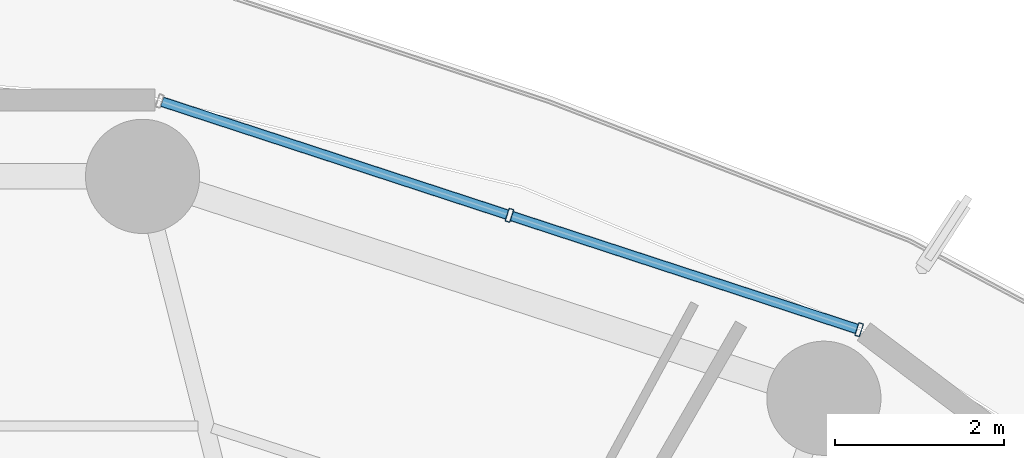
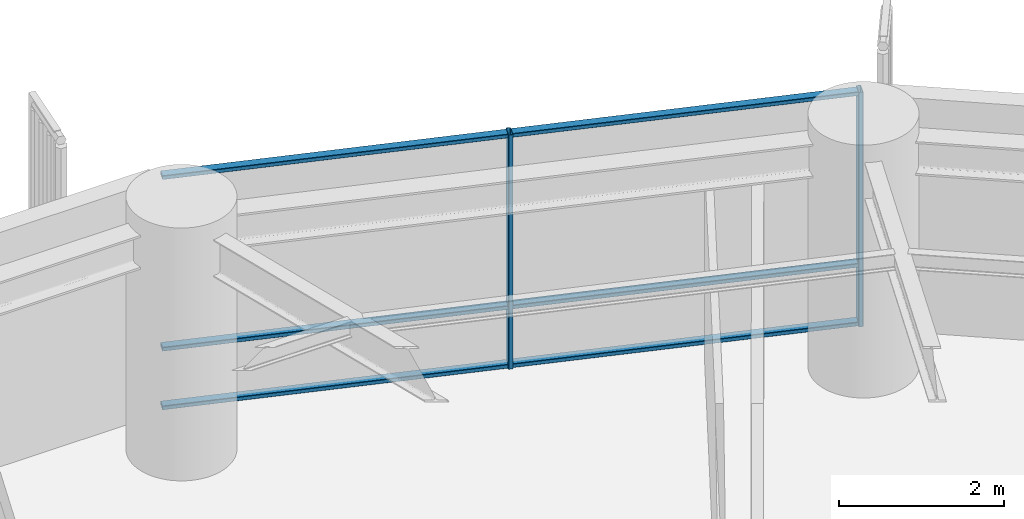
# One storey, part 25 of 35: 8 members, 1 element without a shape of its own.
"""IFC4 building model written with IfcOpenShell, lengths in metres."""

import ifcopenshell
import ifcopenshell.guid

model = None  # the IFC model being written
_history = None  # IfcOwnerHistory: only IFC2X3 demands one
_inside = {}  # id of a spatial element -> (the spatial element, [elements in it])
_under = {}  # id of a project, library or spatial element -> (it, [spatial elements below it])
_declared = {}  # id of a project -> (the project, [libraries it declares])
_typed = {}  # id of a type object -> (the type object, [elements of that type])
_made_of = {}  # id of a material, layer set ... -> (it, [elements and type objects made of it])


def new_model(schema):
    """Start an empty IFC model of exactly this schema.

    Asked for "IFC4X3", IfcOpenShell would pick the latest addendum, in which some entities
    have other attributes; the version numbers below select the first issue.
    IFC2X3 requires an IfcOwnerHistory on every rooted entity: one is made here for all.
    """
    global model, _history
    if schema == "IFC4X3":
        model = ifcopenshell.file(schema_version=(4, 3, 0, 0))
    else:
        model = ifcopenshell.file(schema=schema)
    _inside.clear()
    _under.clear()
    _declared.clear()
    _typed.clear()
    _made_of.clear()
    _history = None
    if model.schema == "IFC2X3":
        org = make("IfcOrganization", Name="unknown")
        user = make(
            "IfcPersonAndOrganization",
            ThePerson=make("IfcPerson", FamilyName="unknown"),
            TheOrganization=org,
        )
        app = make(
            "IfcApplication",
            ApplicationDeveloper=org,
            Version="unknown",
            ApplicationFullName="unknown",
            ApplicationIdentifier="unknown",
        )
        _history = make(
            "IfcOwnerHistory",
            OwningUser=user,
            OwningApplication=app,
            ChangeAction="ADDED",
            CreationDate=0,
        )
    return model


def make(cls, **values):
    """One entity of the class cls with the attributes given. An attribute that is None is left unset."""
    return model.create_entity(
        cls, **{name: value for name, value in values.items() if value is not None}
    )


def rooted(cls, **values):
    """An entity with a GlobalId (a new one), such as an element, a storey or a relation."""
    return make(cls, GlobalId=ifcopenshell.guid.new(), OwnerHistory=_history, **values)


def si_unit(unit_type, name, prefix=None):
    """IfcSIUnit, for example si_unit("LENGTHUNIT", "METRE", prefix="MILLI")."""
    return make("IfcSIUnit", UnitType=unit_type, Prefix=prefix, Name=name)


def assignment(units):
    """IfcUnitAssignment: the units of a project."""
    return None if units is None else make("IfcUnitAssignment", Units=units)


def point(xyz):
    """IfcCartesianPoint."""
    return None if xyz is None else make("IfcCartesianPoint", Coordinates=xyz)


def direction(xyz):
    """IfcDirection."""
    return None if xyz is None else make("IfcDirection", DirectionRatios=xyz)


def frame(location, z_axis=None, x_axis=None):
    """IfcAxis2Placement3D, a coordinate frame: its origin and axes. An axis left out is left unset."""
    return make(
        "IfcAxis2Placement3D",
        Location=point(location),
        Axis=direction(z_axis),
        RefDirection=direction(x_axis),
    )


def frame_2d(location, x_axis=None):
    """IfcAxis2Placement2D, a coordinate frame in the plane: its origin and x axis."""
    return make(
        "IfcAxis2Placement2D", Location=point(location), RefDirection=direction(x_axis)
    )


def origin():
    """The frame at (0, 0, 0) with its axes left unset."""
    return frame((0.0, 0.0, 0.0))


def origin_2d():
    """The frame at (0, 0) in the plane with its x axis left unset."""
    return frame_2d((0.0, 0.0))


def place(relative_to, where):
    """IfcLocalPlacement: puts the frame where relative to a parent placement (None: the world)."""
    return make(
        "IfcLocalPlacement", PlacementRelTo=relative_to, RelativePlacement=where
    )


def context(
    kind, dimensions, precision=None, world=None, true_north=None, identifier=None
):
    """IfcGeometricRepresentationContext, for example the 3D "Model" context."""
    return make(
        "IfcGeometricRepresentationContext",
        ContextIdentifier=identifier,
        ContextType=kind,
        CoordinateSpaceDimension=dimensions,
        Precision=precision,
        WorldCoordinateSystem=world,
        TrueNorth=true_north,
    )


def subcontext(parent, identifier, kind, view, scale=None):
    """IfcGeometricRepresentationSubContext, for example "Body" below "Model"."""
    return make(
        "IfcGeometricRepresentationSubContext",
        ContextIdentifier=identifier,
        ContextType=kind,
        ParentContext=parent,
        TargetScale=scale,
        TargetView=view,
    )


def project(units=None, contexts=None):
    """IfcProject with its units and contexts."""
    return rooted(
        "IfcProject",
        Name="project",
        RepresentationContexts=contexts,
        UnitsInContext=assignment(units),
    )


def spatial(cls, under=None, at=None, **own):
    """A site, building, storey or space (cls), placed at a placement, below another one or the project."""
    s = rooted(cls, ObjectPlacement=at, **own)
    if under is not None:
        _under.setdefault(under.id(), (under, []))[1].append(s)
    return s


def profile(cls, at=None, kind="AREA", **sizes):
    """A parametric profile (cls). Its sizes go by their IFC names, for example OverallWidth=200.0."""
    return make(cls, ProfileType=kind, Position=at, **sizes)


def hollow_rectangle(**sizes):
    """IfcRectangleHollowProfileDef."""
    return profile("IfcRectangleHollowProfileDef", **sizes)


def extrude(swept, where, along, depth):
    """IfcExtrudedAreaSolid: the profile swept, set in the frame where, extruded along a direction by depth."""
    return make(
        "IfcExtrudedAreaSolid",
        SweptArea=swept,
        Position=where,
        ExtrudedDirection=direction(along),
        Depth=depth,
    )


def shape(context_of_items, identifier, shape_type, items):
    """IfcShapeRepresentation: the items that make up one representation, for example the "Body"."""
    return make(
        "IfcShapeRepresentation",
        ContextOfItems=context_of_items,
        RepresentationIdentifier=identifier,
        RepresentationType=shape_type,
        Items=items,
    )


def material(Name=None, Category=None):
    """IfcMaterial."""
    return make("IfcMaterial", Name=Name, Category=Category)


def layer(
    of_material, thickness, ventilated=None, Name=None, Category=None, Priority=None
):
    """IfcMaterialLayer: one layer of a wall or slab, of a material (None: an air gap)."""
    return make(
        "IfcMaterialLayer",
        Material=of_material,
        LayerThickness=thickness,
        IsVentilated=ventilated,
        Name=Name,
        Category=Category,
        Priority=Priority,
    )


def layer_set(layers, Name=None):
    """IfcMaterialLayerSet."""
    return make("IfcMaterialLayerSet", MaterialLayers=layers, LayerSetName=Name)


def material_profile(
    of_material, cross_section, Name=None, Category=None, Priority=None
):
    """IfcMaterialProfile: a cross section and its material."""
    return make(
        "IfcMaterialProfile",
        Name=Name,
        Material=of_material,
        Profile=cross_section,
        Priority=Priority,
        Category=Category,
    )


def profile_set(profiles, Name=None, composite=None):
    """IfcMaterialProfileSet."""
    return make(
        "IfcMaterialProfileSet",
        Name=Name,
        MaterialProfiles=profiles,
        CompositeProfile=composite,
    )


def made_of(thing, what):
    """Note that an element or type object is made of a material, layer set ...; save() writes the relation."""
    if what is not None:
        _made_of.setdefault(what.id(), (what, []))[1].append(thing)
    return thing


def type_object(cls, material=None, **own):
    """A type object (cls), such as IfcWallType, which elements share."""
    return made_of(rooted(cls, **own), material)


def element(
    cls,
    number,
    at=None,
    inside=None,
    cuts=None,
    type_object=None,
    material=None,
    context=None,
    identifier="Body",
    shape_type=None,
    held_by="IfcProductDefinitionShape",
    body=None,
    shapes=None,
    **own,
):
    """One element of the class cls, such as IfcWall. Its Tag is "e" and its number.

    at: its placement. inside: the storey or other place that contains it. cuts: it is an
    opening in that element (IfcRelVoidsElement). A single representation is given by context,
    identifier, shape_type and body (its items); several are given by shapes. held_by: the class
    of the entity that holds the representations. save() writes the other relations.
    """
    e = rooted(cls, Tag="e%d" % number, ObjectPlacement=at, **own)
    if body is not None:
        shapes = [shape(context, identifier, shape_type, body)]
    if shapes is not None:
        e.Representation = make(held_by, Representations=shapes)
    if inside is not None:
        _inside.setdefault(inside.id(), (inside, []))[1].append(e)
    if cuts is not None:
        rooted(
            "IfcRelVoidsElement", RelatingBuildingElement=cuts, RelatedOpeningElement=e
        )
    if type_object is not None:
        _typed.setdefault(type_object.id(), (type_object, []))[1].append(e)
    return made_of(e, material)


def aggregate(whole, parts):
    """IfcRelAggregates: a whole, such as a stair, and the parts it consists of."""
    return rooted("IfcRelAggregates", RelatingObject=whole, RelatedObjects=parts)


def save(model, path):
    """Write the relations noted so far, then the file.

    IfcRelAggregates (storeys below a building ...), IfcRelContainedInSpatialStructure (elements
    in a storey), IfcRelDefinesByType, IfcRelAssociatesMaterial and IfcRelDeclares: one each for
    every whole, place, type object, material and project.
    """
    for whole, parts in _under.values():
        aggregate(whole, parts)
    for where, things in _inside.values():
        rooted(
            "IfcRelContainedInSpatialStructure",
            RelatedElements=things,
            RelatingStructure=where,
        )
    for kind, things in _typed.values():
        rooted("IfcRelDefinesByType", RelatedObjects=things, RelatingType=kind)
    for what, things in _made_of.values():
        rooted("IfcRelAssociatesMaterial", RelatedObjects=things, RelatingMaterial=what)
    for by, libraries in _declared.values():
        rooted("IfcRelDeclares", RelatingContext=by, RelatedDefinitions=libraries)
    model.write(path)


model = new_model("IFC4")

# Units and contexts
model_context = context("Model", 3, precision=1e-05, world=origin(), true_north=direction((0.0, 1.0)))
body_context = subcontext(model_context, "Body", "Model", "MODEL_VIEW")
ifc_project = project(units=[si_unit("LENGTHUNIT", "METRE"), si_unit("AREAUNIT", "SQUARE_METRE"), si_unit("VOLUMEUNIT", "CUBIC_METRE"), si_unit("PLANEANGLEUNIT", "RADIAN"), si_unit("MASSUNIT", "GRAM", prefix="KILO")], contexts=[model_context])

# Site, building, storey
site_placement = place(None, origin())
site = spatial("IfcSite", under=ifc_project, at=site_placement, CompositionType="ELEMENT")
building_placement = place(site_placement, origin())
building = spatial("IfcBuilding", under=site, at=building_placement, Name="Kelanora Arch Commons", CompositionType="ELEMENT")
storey_placement = place(building_placement, frame((0.0, 0.0, 117.60009765625)))
storey = spatial("IfcBuildingStorey", under=building, at=storey_placement, Name="L30", CompositionType="ELEMENT", Elevation=117.60009765625)

# Curtain wall, members
ifc_material_1 = material(Name="Terracotta ceramic-fritted low-E glass and aluminium", Category="masonry")
ifc_layer = layer(ifc_material_1, 0.159912109375)
ifc_layer_set = layer_set([ifc_layer], Name="Terracotta ceramic-fritted low-E glass and aluminium")
curtain_wall_type = type_object("IfcCurtainWallType", Name="CW-SYS-01", PredefinedType="NOTDEFINED", material=ifc_layer_set)
curtain_wall_placement = place(storey_placement, origin())
curtain_wall = element("IfcCurtainWall", 1, at=curtain_wall_placement, inside=storey, type_object=curtain_wall_type, Name="Unitised Curtain Wall L30-B03", PredefinedType="NOTDEFINED")
ifc_material_2 = material(Name="Powder-coated aluminium terracotta", Category="masonry")
ifc_material_profile_1 = material_profile(ifc_material_2, hollow_rectangle(XDim=0.159912109375, YDim=0.06005859375, WallThickness=0.0048828125, InnerFilletRadius=0.0048828125, OuterFilletRadius=0.010009765625, at=origin_2d()), Name="CWM160x60")
ifc_profile_set_1 = profile_set([ifc_material_profile_1], Name="Powder-coated aluminium terracotta")
member_type_1 = type_object("IfcMemberType", Name="CWM-STD", PredefinedType="MULLION", material=ifc_profile_set_1)
member_1_placement = place(storey_placement, frame((86.757080078125, 77.9326171875, 0.0), z_axis=(0.0, 0.0, 1.0), x_axis=(-0.31080470294, -0.950473795867, 0.0)))
member_1 = element("IfcMember", 2, at=member_1_placement, type_object=member_type_1, Name="CW-01 mullion 1", PredefinedType="MULLION", context=body_context, shape_type="SweptSolid", body=[
    extrude(hollow_rectangle(XDim=0.159912109375, YDim=0.06005859375, WallThickness=0.0048828125, InnerFilletRadius=0.0048828125, OuterFilletRadius=0.010009765625, at=origin_2d()), origin(), (0.0, 0.0, 1.0), 3.474853515625),
])
member_2_placement = place(storey_placement, frame((82.622802734375, 79.28466796875, 0.0), z_axis=(0.0, 0.0, 1.0), x_axis=(-0.31080470294, -0.950473795867, 0.0)))
member_2 = element("IfcMember", 3, at=member_2_placement, type_object=member_type_1, Name="CW-01 mullion 2", PredefinedType="MULLION", context=body_context, shape_type="SweptSolid", body=[
    extrude(hollow_rectangle(XDim=0.159912109375, YDim=0.06005859375, WallThickness=0.0048828125, InnerFilletRadius=0.0048828125, OuterFilletRadius=0.010009765625, at=origin_2d()), origin(), (0.0, 0.0, 1.0), 3.474853515625),
])
ifc_material_profile_2 = material_profile(ifc_material_2, hollow_rectangle(XDim=0.1201171875, YDim=0.06005859375, WallThickness=0.0048828125, InnerFilletRadius=0.0048828125, OuterFilletRadius=0.010009765625, at=origin_2d()), Name="CWT120x60")
ifc_profile_set_2 = profile_set([ifc_material_profile_2], Name="Powder-coated aluminium terracotta")
member_type_2 = type_object("IfcMemberType", Name="CWT-STD", PredefinedType="USERDEFINED", material=ifc_profile_set_2)
member_3_placement = place(storey_placement, frame((86.728759765625, 77.94189453125, 0.02978515625), z_axis=(-0.950466230394, 0.310827838008, 0.0), x_axis=(-0.310827838008, -0.950466230394, 0.0)))
member_3 = element("IfcMember", 4, at=member_3_placement, type_object=member_type_2, Name="CW-01 transom 1.1", ObjectType="TRANSOM", PredefinedType="USERDEFINED", context=body_context, shape_type="SweptSolid", body=[
    extrude(hollow_rectangle(XDim=0.1201171875, YDim=0.06005859375, WallThickness=0.0048828125, InnerFilletRadius=0.0048828125, OuterFilletRadius=0.010009765625, at=origin_2d()), origin(), (0.0, 0.0, 1.0), 4.2900390625),
])
member_4_placement = place(storey_placement, frame((86.728759765625, 77.94189453125, 0.89990234375), z_axis=(-0.950466230394, 0.310827838008, 0.0), x_axis=(-0.310827838008, -0.950466230394, 0.0)))
member_4 = element("IfcMember", 5, at=member_4_placement, type_object=member_type_2, Name="CW-01 transom 1.2", ObjectType="TRANSOM", PredefinedType="USERDEFINED", context=body_context, shape_type="SweptSolid", body=[
    extrude(hollow_rectangle(XDim=0.1201171875, YDim=0.06005859375, WallThickness=0.0048828125, InnerFilletRadius=0.0048828125, OuterFilletRadius=0.010009765625, at=origin_2d()), origin(), (0.0, 0.0, 1.0), 4.2900390625),
])
member_5_placement = place(storey_placement, frame((86.728759765625, 77.94189453125, 3.44482421875), z_axis=(-0.950466230394, 0.310827838008, 0.0), x_axis=(-0.310827838008, -0.950466230394, 0.0)))
member_5 = element("IfcMember", 6, at=member_5_placement, type_object=member_type_2, Name="CW-01 transom 1.3", ObjectType="TRANSOM", PredefinedType="USERDEFINED", context=body_context, shape_type="SweptSolid", body=[
    extrude(hollow_rectangle(XDim=0.1201171875, YDim=0.06005859375, WallThickness=0.0048828125, InnerFilletRadius=0.0048828125, OuterFilletRadius=0.010009765625, at=origin_2d()), origin(), (0.0, 0.0, 1.0), 4.2900390625),
])
member_6_placement = place(storey_placement, frame((82.59423828125, 79.2939453125, 0.02978515625), z_axis=(-0.950477544745, 0.31079323824, 0.0), x_axis=(-0.31079323824, -0.950477544745, 0.0)))
member_6 = element("IfcMember", 7, at=member_6_placement, type_object=member_type_2, Name="CW-01 transom 2.1", ObjectType="TRANSOM", PredefinedType="USERDEFINED", context=body_context, shape_type="SweptSolid", body=[
    extrude(hollow_rectangle(XDim=0.1201171875, YDim=0.06005859375, WallThickness=0.0048828125, InnerFilletRadius=0.0048828125, OuterFilletRadius=0.010009765625, at=origin_2d()), origin(), (0.0, 0.0, 1.0), 4.289794921875),
])
member_7_placement = place(storey_placement, frame((82.59423828125, 79.2939453125, 0.89990234375), z_axis=(-0.950477544745, 0.31079323824, 0.0), x_axis=(-0.31079323824, -0.950477544745, 0.0)))
member_7 = element("IfcMember", 8, at=member_7_placement, type_object=member_type_2, Name="CW-01 transom 2.2", ObjectType="TRANSOM", PredefinedType="USERDEFINED", context=body_context, shape_type="SweptSolid", body=[
    extrude(hollow_rectangle(XDim=0.1201171875, YDim=0.06005859375, WallThickness=0.0048828125, InnerFilletRadius=0.0048828125, OuterFilletRadius=0.010009765625, at=origin_2d()), origin(), (0.0, 0.0, 1.0), 4.289794921875),
])
member_8_placement = place(storey_placement, frame((82.59423828125, 79.2939453125, 3.44482421875), z_axis=(-0.950477544745, 0.31079323824, 0.0), x_axis=(-0.31079323824, -0.950477544745, 0.0)))
member_8 = element("IfcMember", 9, at=member_8_placement, type_object=member_type_2, Name="CW-01 transom 2.3", ObjectType="TRANSOM", PredefinedType="USERDEFINED", context=body_context, shape_type="SweptSolid", body=[
    extrude(hollow_rectangle(XDim=0.1201171875, YDim=0.06005859375, WallThickness=0.0048828125, InnerFilletRadius=0.0048828125, OuterFilletRadius=0.010009765625, at=origin_2d()), origin(), (0.0, 0.0, 1.0), 4.289794921875),
])
aggregate(curtain_wall, [member_1, member_2, member_3, member_4, member_5, member_6, member_7, member_8])

save(model, "model.ifc")
